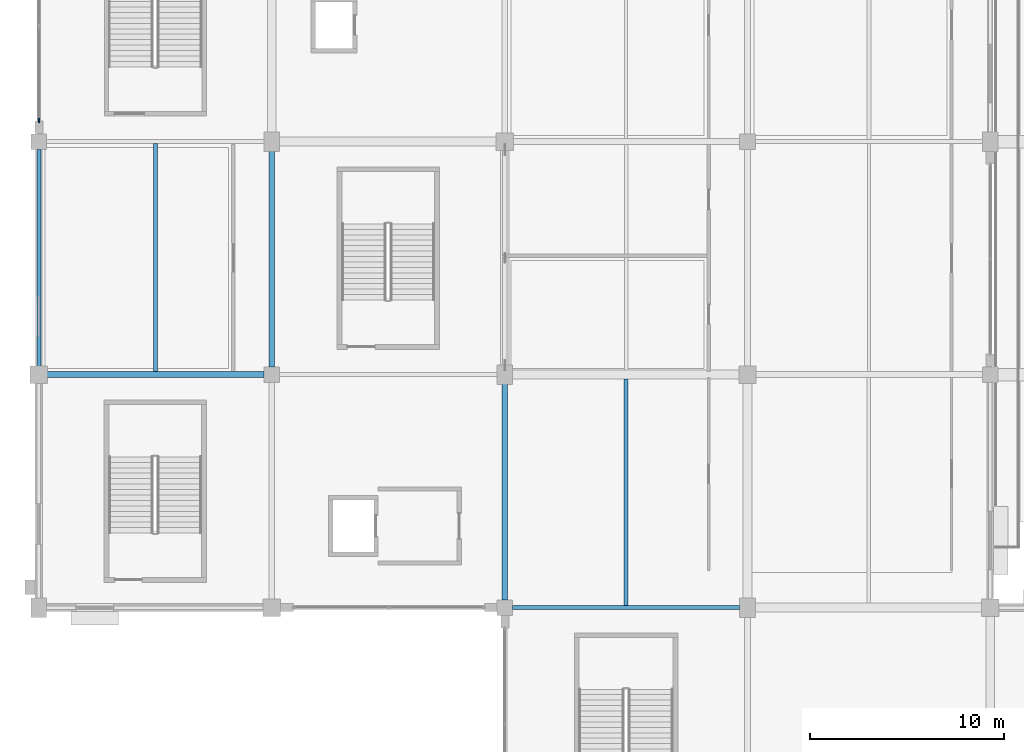
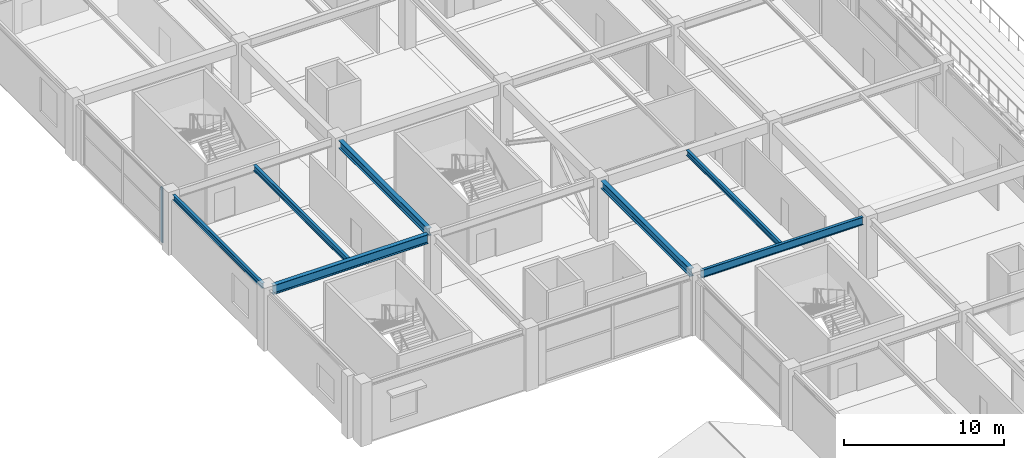
# One storey, part 9 of 134: 7 beams, 1 member, 1 element without a shape of its own.
"""IFC4 building model written with IfcOpenShell, lengths in metres."""

from ifc_helpers import new_model, si_unit, direction, frame, origin, origin_2d, place, context, subcontext, project, spatial, rectangle, i_section, extrude, material, layer, layer_set, material_profile, profile_set, type_object, element, aggregate, save


model = new_model("IFC4")

# Units and contexts
model_context = context("Model", 3, precision=1e-05, world=origin(), true_north=direction((0.0, 1.0)))
body_context = subcontext(model_context, "Body", "Model", "MODEL_VIEW")
ifc_project = project(units=[si_unit("LENGTHUNIT", "METRE"), si_unit("AREAUNIT", "SQUARE_METRE"), si_unit("VOLUMEUNIT", "CUBIC_METRE"), si_unit("PLANEANGLEUNIT", "RADIAN"), si_unit("MASSUNIT", "GRAM", prefix="KILO")], contexts=[model_context])

# Site, building, storey
site_placement = place(None, origin())
site = spatial("IfcSite", under=ifc_project, at=site_placement, CompositionType="ELEMENT")
building_placement = place(site_placement, origin())
building = spatial("IfcBuilding", under=site, at=building_placement, Name="Kazenohara Klinker Stadium", CompositionType="ELEMENT")
storey_placement = place(building_placement, frame((0.0, 0.0, 5.39990234375)))
storey = spatial("IfcBuildingStorey", under=building, at=storey_placement, Name="L01", CompositionType="ELEMENT", Elevation=5.39990234375)

# Beams
ifc_material_1 = material(Name="Steel S355", Category="steel")
ifc_material_profile_1 = material_profile(ifc_material_1, i_section(OverallWidth=0.199951171875, OverallDepth=0.449951171875, WebThickness=0.009033203125, FlangeThickness=0.013916015625, FilletRadius=0.012939453125, at=origin_2d()), Name="H-450x200x9x14")
ifc_profile_set_1 = profile_set([ifc_material_profile_1], Name="Steel S355")
beam_type_1 = type_object("IfcBeamType", Name="BM-JST02", PredefinedType="JOIST", material=ifc_profile_set_1)
beam_1_placement = place(storey_placement, frame((6.0, 48.14990234375, 4.3251953125), z_axis=(0.0, 1.0, 0.0), x_axis=(-1.0, 0.0, 0.0)))
element("IfcBeam", 1, at=beam_1_placement, inside=storey, type_object=beam_type_1, Name="Secondary floor joist SJ02 L01 1/E", PredefinedType="JOIST", context=body_context, shape_type="SweptSolid", body=[
    extrude(i_section(OverallWidth=0.199951171875, OverallDepth=0.449951171875, WebThickness=0.009033203125, FlangeThickness=0.013916015625, FilletRadius=0.012939453125, at=origin_2d()), origin(), (0.0, 0.0, 1.0), 11.75),
])
ifc_material_profile_2 = material_profile(ifc_material_1, i_section(OverallWidth=0.199951171875, OverallDepth=0.39990234375, WebThickness=0.008056640625, FlangeThickness=0.012939453125, FilletRadius=0.012939453125, at=origin_2d()), Name="H-400x200x8x13")
ifc_profile_set_2 = profile_set([ifc_material_profile_2], Name="Steel S355")
beam_type_2 = type_object("IfcBeamType", Name="BM-JST03", PredefinedType="JOIST", material=ifc_profile_set_2)
beam_2_placement = place(storey_placement, frame((30.25, 36.10009765625, 4.35009765625), z_axis=(0.0, 1.0, 0.0), x_axis=(-1.0, 0.0, 0.0)))
element("IfcBeam", 2, at=beam_2_placement, inside=storey, type_object=beam_type_2, Name="Secondary floor joist SJ03 L01 3/D", PredefinedType="JOIST", context=body_context, shape_type="SweptSolid", body=[
    extrude(i_section(OverallWidth=0.199951171875, OverallDepth=0.39990234375, WebThickness=0.008056640625, FlangeThickness=0.012939453125, FilletRadius=0.012939453125, at=origin_2d()), origin(), (0.0, 0.0, 1.0), 11.6748046875),
])
ifc_material_profile_3 = material_profile(ifc_material_1, i_section(OverallWidth=0.199951171875, OverallDepth=0.39990234375, WebThickness=0.008056640625, FlangeThickness=0.012939453125, FilletRadius=0.012939453125, at=origin_2d()), Name="H-400x200x8x13")
ifc_profile_set_3 = profile_set([ifc_material_profile_3], Name="Steel S355")
beam_type_3 = type_object("IfcBeamType", Name="BM-SPD01", PredefinedType="SPANDREL", material=ifc_profile_set_3)
beam_3_placement = place(storey_placement, frame((0.0, 48.419921875, 4.35009765625), z_axis=(0.0, 1.0, 0.0), x_axis=(-1.0, 0.0, 0.0)))
element("IfcBeam", 3, at=beam_3_placement, inside=storey, type_object=beam_type_3, Name="Primary girder SP01 L01 1/E-F", PredefinedType="SPANDREL", context=body_context, shape_type="SweptSolid", body=[
    extrude(i_section(OverallWidth=0.199951171875, OverallDepth=0.39990234375, WebThickness=0.008056640625, FlangeThickness=0.012939453125, FilletRadius=0.012939453125, at=origin_2d()), origin(), (0.0, 0.0, 1.0), 11.18017578125),
])
ifc_material_profile_4 = material_profile(ifc_material_1, i_section(OverallWidth=0.300048828125, OverallDepth=0.699951171875, WebThickness=0.012939453125, FlangeThickness=0.02392578125, FilletRadius=0.02197265625, at=origin_2d()), Name="H-700x300x13x24")
ifc_profile_set_4 = profile_set([ifc_material_profile_4], Name="Steel S355")
beam_type_4 = type_object("IfcBeamType", Name="BM-ST03", PredefinedType="BEAM", material=ifc_profile_set_4)
beam_4_placement = place(storey_placement, frame((0.419921875, 48.0, 4.2001953125), z_axis=(1.0, 0.0, 0.0), x_axis=(0.0, 1.0, 0.0)))
element("IfcBeam", 4, at=beam_4_placement, inside=storey, type_object=beam_type_4, Name="Primary girder SB03 L01 1-2/E", PredefinedType="BEAM", context=body_context, shape_type="SweptSolid", body=[
    extrude(i_section(OverallWidth=0.300048828125, OverallDepth=0.699951171875, WebThickness=0.012939453125, FlangeThickness=0.02392578125, FilletRadius=0.02197265625, at=origin_2d()), origin(), (0.0, 0.0, 1.0), 11.18017578125),
])
ifc_material_profile_5 = material_profile(ifc_material_1, i_section(OverallWidth=0.199951171875, OverallDepth=0.60009765625, WebThickness=0.010986328125, FlangeThickness=0.01708984375, FilletRadius=0.012939453125, at=origin_2d()), Name="H-600x200x11x17")
ifc_profile_set_5 = profile_set([ifc_material_profile_5], Name="Steel S355")
beam_type_5 = type_object("IfcBeamType", Name="BM-ST04", PredefinedType="BEAM", material=ifc_profile_set_5)
beam_5_placement = place(storey_placement, frame((24.39990234375, 36.0, 4.25), z_axis=(1.0, 0.0, 0.0), x_axis=(0.0, 1.0, 0.0)))
element("IfcBeam", 5, at=beam_5_placement, inside=storey, type_object=beam_type_5, Name="Primary girder SB04 L01 3-4/D", PredefinedType="BEAM", context=body_context, shape_type="SweptSolid", body=[
    extrude(i_section(OverallWidth=0.199951171875, OverallDepth=0.60009765625, WebThickness=0.010986328125, FlangeThickness=0.01708984375, FilletRadius=0.012939453125, at=origin_2d()), origin(), (0.0, 0.0, 1.0), 11.7001953125),
])
ifc_material_profile_6 = material_profile(ifc_material_1, i_section(OverallWidth=0.300048828125, OverallDepth=0.587890625, WebThickness=0.011962890625, FlangeThickness=0.02001953125, FilletRadius=0.02197265625, at=origin_2d()), Name="H-588x300x12x20")
ifc_profile_set_6 = profile_set([ifc_material_profile_6], Name="Steel S355")
beam_type_6 = type_object("IfcBeamType", Name="BM-ST05", PredefinedType="BEAM", material=ifc_profile_set_6)
for number, where, z_axis, x_axis, name in (
    (6, (12.0, 48.39990234375, 4.256103515625), (0.0, 1.0, 0.0), (-1.0, 0.0, 0.0), "Primary girder SB05 L01 2/E-F"),
    (7, (24.0, 36.39990234375, 4.256103515625), (0.0, 1.0, 0.0), (-1.0, 0.0, 0.0), "Primary girder SB05 L01 3/D-E"),
):
    element("IfcBeam", number, at=place(storey_placement, frame(where, z_axis=z_axis, x_axis=x_axis)), inside=storey, type_object=beam_type_6, Name=name, PredefinedType="BEAM", context=body_context, shape_type="SweptSolid", body=[
        extrude(i_section(OverallWidth=0.300048828125, OverallDepth=0.587890625, WebThickness=0.011962890625, FlangeThickness=0.02001953125, FilletRadius=0.02197265625, at=origin_2d()), origin(), (0.0, 0.0, 1.0), 11.18017578125),
    ])

# Curtain wall, member
ifc_material_2 = material(Name="Anodised aluminium and triple glazing", Category="aluminium")
ifc_layer = layer(ifc_material_2, 0.179931640625)
ifc_layer_set = layer_set([ifc_layer], Name="Anodised aluminium and triple glazing")
curtain_wall_type = type_object("IfcCurtainWallType", Name="CW-SYS-02", PredefinedType="USERDEFINED", material=ifc_layer_set)
curtain_wall_placement = place(storey_placement, origin())
curtain_wall = element("IfcCurtainWall", 8, at=curtain_wall_placement, inside=storey, type_object=curtain_wall_type, Name="Unitised facade curtain wall CW02 L01 Y0-5", ObjectType="UNITISED CURTAIN WALL", PredefinedType="USERDEFINED")
ifc_material_3 = material(Name="Anodised aluminium 6063-T6", Category="aluminium")
ifc_material_profile_7 = material_profile(ifc_material_3, rectangle(XDim=0.074951171875, YDim=0.219970703125, at=origin_2d()), Name="ALU-MUL-75x220")
ifc_profile_set_7 = profile_set([ifc_material_profile_7], Name="Anodised aluminium 6063-T6")
member_type = type_object("IfcMemberType", Name="CW-MUL-220", PredefinedType="MULLION", material=ifc_profile_set_7)
member_placement = place(storey_placement, frame((0.0, 61.091552734375, 0.0), z_axis=(0.0, 0.0, 1.0), x_axis=(-1.0, 0.0, 0.0)))
member = element("IfcMember", 9, at=member_placement, type_object=member_type, Name="CW02 mullion 1", PredefinedType="MULLION", context=body_context, shape_type="SweptSolid", body=[
    extrude(rectangle(XDim=0.074951171875, YDim=0.219970703125, at=origin_2d()), origin(), (0.0, 0.0, 1.0), 4.2001953125),
])
aggregate(curtain_wall, [member])

save(model, "model.ifc")
